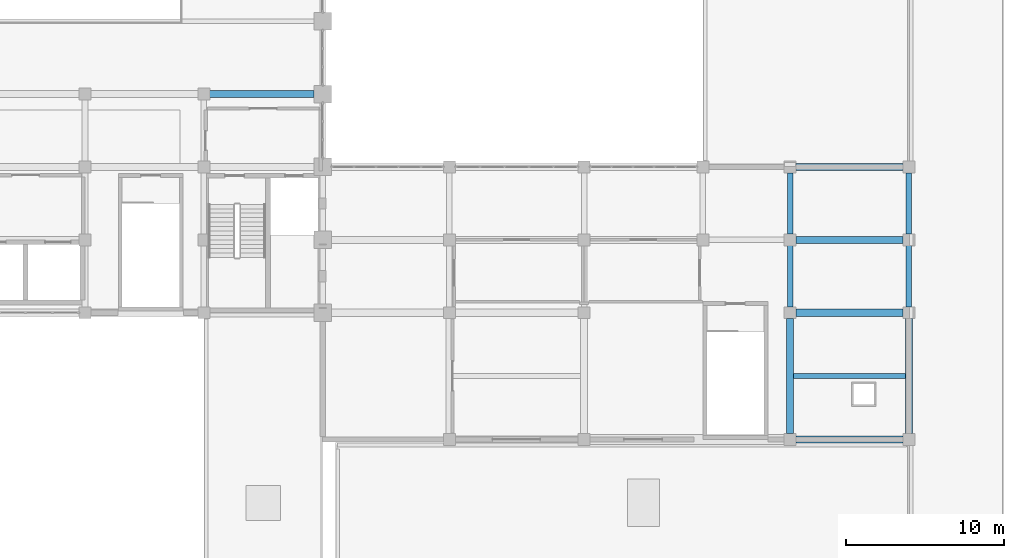
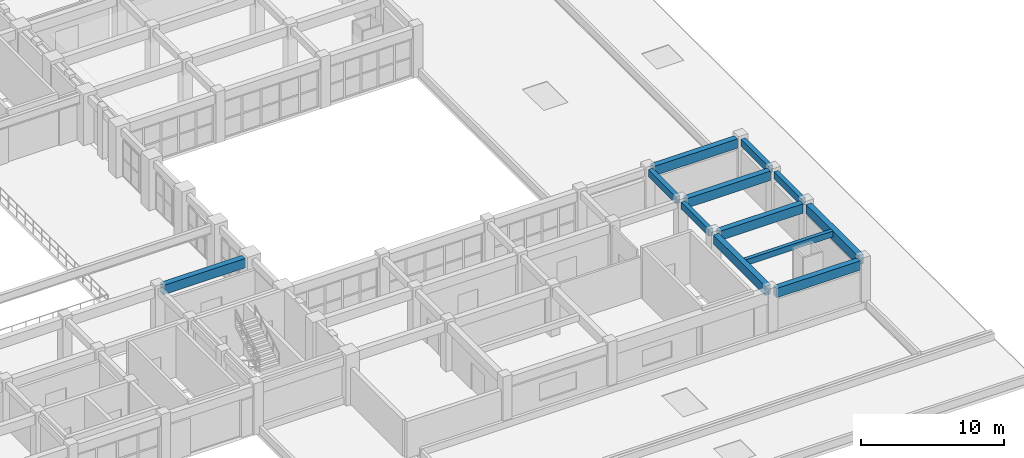
# One storey, part 39 of 90: 12 beams.
"""IFC4 building model written with IfcOpenShell, lengths in metres."""

from ifc_helpers import new_model, si_unit, direction, frame, origin, origin_2d, place, context, subcontext, project, spatial, rectangle, extrude, material, material_profile, profile_set, type_object, element, save


model = new_model("IFC4")

# Units and contexts
model_context = context("Model", 3, precision=1e-05, world=origin(), true_north=direction((0.0, 1.0)))
body_context = subcontext(model_context, "Body", "Model", "MODEL_VIEW")
ifc_project = project(units=[si_unit("LENGTHUNIT", "METRE"), si_unit("AREAUNIT", "SQUARE_METRE"), si_unit("VOLUMEUNIT", "CUBIC_METRE"), si_unit("PLANEANGLEUNIT", "RADIAN"), si_unit("MASSUNIT", "GRAM", prefix="KILO")], contexts=[model_context])

# Site, building, storey
site_placement = place(None, origin())
site = spatial("IfcSite", under=ifc_project, at=site_placement, CompositionType="ELEMENT")
building_placement = place(site_placement, origin())
building = spatial("IfcBuilding", under=site, at=building_placement, Name="Muzn Square Opera House", CompositionType="ELEMENT")
storey_placement = place(building_placement, frame((0.0, 0.0, 9.800048828125)))
storey = spatial("IfcBuildingStorey", under=building, at=storey_placement, Name="L02", CompositionType="ELEMENT", Elevation=9.800048828125)

# Beams
ifc_material = material(Name="Concrete C40/50", Category="concrete")
ifc_material_profile_1 = material_profile(ifc_material, rectangle(XDim=0.300048828125, YDim=0.5, at=origin_2d()), Name="RCJ 300x500", Category="concrete")
ifc_profile_set_1 = profile_set([ifc_material_profile_1], Name="Concrete C40/50")
beam_type_1 = type_object("IfcBeamType", Name="Floor Joist 300x500", PredefinedType="JOIST", material=ifc_profile_set_1)
beam_1_placement = place(storey_placement, frame((162.717041015625, 18.0, 3.89990234375), z_axis=(1.0, 0.0, 0.0), x_axis=(0.0, 1.0, 0.0)))
element("IfcBeam", 1, at=beam_1_placement, inside=storey, type_object=beam_type_1, Name="Floor Joist BM-L02-BM-J500-1627_180_1698_180-2406", PredefinedType="JOIST", context=body_context, shape_type="SweptSolid", body=[
    extrude(rectangle(XDim=0.300048828125, YDim=0.5, at=origin_2d()), origin(), (0.0, 0.0, 1.0), 7.06591796875),
])
ifc_material_profile_2 = material_profile(ifc_material, rectangle(XDim=0.35009765625, YDim=0.60009765625, at=origin_2d()), Name="RCB 350x600", Category="concrete")
ifc_profile_set_2 = profile_set([ifc_material_profile_2], Name="Concrete C40/50")
beam_type_2 = type_object("IfcBeamType", Name="Primary Girder 350x600", PredefinedType="BEAM", material=ifc_profile_set_2)
for number, where, z_axis, x_axis, name in (
    (2, (162.5, 22.366943359375, 3.849853515625), (0.0, 1.0, 0.0), (-1.0, 0.0, 0.0), "Primary Girder BM-L02-BM-PG600-1625_224_1625_262-2285"),
    (3, (162.5, 26.967041015625, 3.849853515625), (0.0, 1.0, 0.0), (-1.0, 0.0, 0.0), "Primary Girder BM-L02-BM-PG600-1625_270_1625_308-2286"),
    (4, (170.0, 22.366943359375, 3.820068359375), (0.0, 1.0, 0.0), (-1.0, 0.0, 0.0), "Primary Girder BM-L02-BM-PG600-1700_224_1700_262-2289"),
    (5, (170.0, 26.967041015625, 3.820068359375), (0.0, 1.0, 0.0), (-1.0, 0.0, 0.0), "Primary Girder BM-L02-BM-PG600-1700_270_1700_308-2290"),
):
    element("IfcBeam", number, at=place(storey_placement, frame(where, z_axis=z_axis, x_axis=x_axis)), inside=storey, type_object=beam_type_2, Name=name, PredefinedType="BEAM", context=body_context, shape_type="SweptSolid", body=[
        extrude(rectangle(XDim=0.35009765625, YDim=0.60009765625, at=origin_2d()), origin(), (0.0, 0.0, 1.0), 3.865966796875),
    ])
ifc_material_profile_3 = material_profile(ifc_material, rectangle(XDim=0.449951171875, YDim=0.800048828125, at=origin_2d()), Name="RCB 450x800", Category="concrete")
ifc_profile_set_3 = profile_set([ifc_material_profile_3], Name="Concrete C40/50")
beam_type_3 = type_object("IfcBeamType", Name="Primary Girder 450x800", PredefinedType="BEAM", material=ifc_profile_set_3)
for number, where, z_axis, x_axis, name in (
    (6, (162.866943359375, 14.0, 3.719970703125), (1.0, 0.0, 0.0), (0.0, 1.0, 0.0), "Primary Girder BM-L02-BM-PG800-1629_140_1696_140-1945"),
    (7, (162.866943359375, 22.0, 3.75), (1.0, 0.0, 0.0), (0.0, 1.0, 0.0), "Primary Girder BM-L02-BM-PG800-1629_220_1696_220-1963"),
    (8, (162.866943359375, 26.60009765625, 3.75), (1.0, 0.0, 0.0), (0.0, 1.0, 0.0), "Primary Girder BM-L02-BM-PG800-1629_266_1696_266-1978"),
    (9, (162.866943359375, 31.199951171875, 3.719970703125), (1.0, 0.0, 0.0), (0.0, 1.0, 0.0), "Primary Girder BM-L02-BM-PG800-1629_312_1696_312-1997"),
):
    element("IfcBeam", number, at=place(storey_placement, frame(where, z_axis=z_axis, x_axis=x_axis)), inside=storey, type_object=beam_type_3, Name=name, PredefinedType="BEAM", context=body_context, shape_type="SweptSolid", body=[
        extrude(rectangle(XDim=0.449951171875, YDim=0.800048828125, at=origin_2d()), origin(), (0.0, 0.0, 1.0), 6.76611328125),
    ])
beam_2_placement = place(storey_placement, frame((125.866943359375, 35.800048828125, 3.719970703125), z_axis=(1.0, 0.0, 0.0), x_axis=(0.0, 1.0, 0.0)))
element("IfcBeam", 10, at=beam_2_placement, inside=storey, type_object=beam_type_3, Name="Primary Girder BM-L02-BM-PG800-1259_358_1325_358-2006", PredefinedType="BEAM", context=body_context, shape_type="SweptSolid", body=[
    extrude(rectangle(XDim=0.449951171875, YDim=0.800048828125, at=origin_2d()), origin(), (0.0, 0.0, 1.0), 6.591064453125),
])
for number, where, z_axis, x_axis, name in (
    (11, (162.5, 14.366943359375, 3.75), (0.0, 1.0, 0.0), (-1.0, 0.0, 0.0), "Primary Girder BM-L02-BM-PG800-1625_144_1625_216-2284"),
    (12, (170.0, 14.366943359375, 3.719970703125), (0.0, 1.0, 0.0), (-1.0, 0.0, 0.0), "Primary Girder BM-L02-BM-PG800-1700_144_1700_216-2288"),
):
    element("IfcBeam", number, at=place(storey_placement, frame(where, z_axis=z_axis, x_axis=x_axis)), inside=storey, type_object=beam_type_3, Name=name, PredefinedType="BEAM", context=body_context, shape_type="SweptSolid", body=[
        extrude(rectangle(XDim=0.449951171875, YDim=0.800048828125, at=origin_2d()), origin(), (0.0, 0.0, 1.0), 7.26611328125),
    ])

save(model, "model.ifc")
